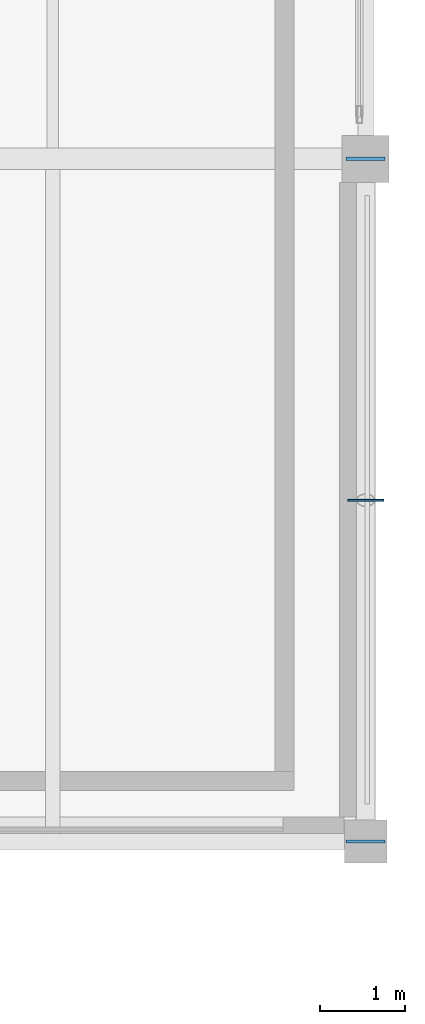
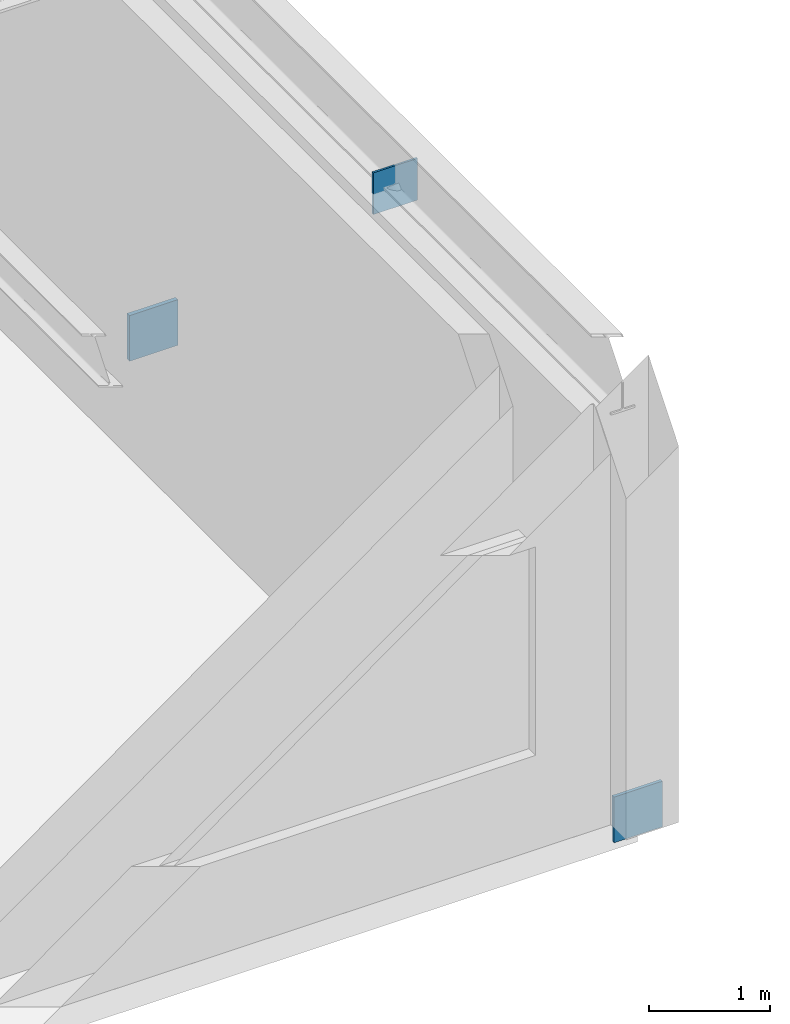
# One storey, part 170 of 200: 3 plates.
"""IFC4 building model written with IfcOpenShell, lengths in metres."""

from ifc_helpers import new_model, si_unit, direction, frame, origin, origin_2d, place, context, subcontext, project, spatial, rectangle, extrude, material, layer, layer_set, type_object, element, save


model = new_model("IFC4")

# Units and contexts
model_context = context("Model", 3, precision=1e-05, world=origin(), true_north=direction((0.0, 1.0)))
body_context = subcontext(model_context, "Body", "Model", "MODEL_VIEW")
ifc_project = project(units=[si_unit("LENGTHUNIT", "METRE"), si_unit("AREAUNIT", "SQUARE_METRE"), si_unit("VOLUMEUNIT", "CUBIC_METRE"), si_unit("PLANEANGLEUNIT", "RADIAN"), si_unit("MASSUNIT", "GRAM", prefix="KILO"), si_unit("THERMODYNAMICTEMPERATUREUNIT", "KELVIN"), si_unit("POWERUNIT", "WATT")], contexts=[model_context])

# Site, building, storey
site_placement = place(None, origin())
site = spatial("IfcSite", under=ifc_project, at=site_placement, CompositionType="ELEMENT")
building_placement = place(site_placement, origin())
building = spatial("IfcBuilding", under=site, at=building_placement, Name="Tepalcoro Natatorium and Aquatics Centre", CompositionType="ELEMENT")
storey_placement = place(building_placement, frame((0.0, 0.0, 5.39990234375)))
storey = spatial("IfcBuildingStorey", under=building, at=storey_placement, Name="L01", CompositionType="ELEMENT", Elevation=5.39990234375)

# Plates
ifc_material = material(Name="Plate Steel ASTM A572 Grade 50 (Fy 345 MPa)", Category="steel")
ifc_layer_1 = layer(ifc_material, 0.031982421875)
ifc_layer_set_1 = layer_set([ifc_layer_1], Name="Plate Steel ASTM A572 Grade 50 (Fy 345 MPa)")
plate_type_1 = type_object("IfcPlateType", Name="PL_CAP_32", PredefinedType="USERDEFINED", material=ifc_layer_set_1)
plate_1_placement = place(storey_placement, frame((176.0, 86.0, -0.179931640625), z_axis=(0.0, 0.0, 1.0), x_axis=(1.0, 0.0, 0.0)))
element("IfcPlate", 1, at=plate_1_placement, inside=storey, type_object=plate_type_1, Name="Truss Node Cap Plate BRB_10", ObjectType="CAP PLATE", PredefinedType="USERDEFINED", context=body_context, shape_type="SweptSolid", body=[
    extrude(rectangle(XDim=0.4599609375, YDim=0.031982421875, at=origin_2d()), origin(), (0.0, 0.0, 1.0), 0.4599609375),
])
ifc_layer_2 = layer(ifc_material, 0.02001953125)
ifc_layer_set_2 = layer_set([ifc_layer_2], Name="Plate Steel ASTM A572 Grade 50 (Fy 345 MPa)")
plate_type_2 = type_object("IfcPlateType", Name="PL_GUSSET_20", PredefinedType="USERDEFINED", material=ifc_layer_set_2)
plate_2_placement = place(storey_placement, frame((176.0, 90.0, 3.710205078125), z_axis=(0.0, 0.0, 1.0), x_axis=(1.0, 0.0, 0.0)))
element("IfcPlate", 2, at=plate_2_placement, inside=storey, type_object=plate_type_2, Name="V5 L01 Chevron Gusset Plate GP1", ObjectType="GUSSET PLATE", PredefinedType="USERDEFINED", context=body_context, shape_type="SweptSolid", body=[
    extrude(rectangle(XDim=0.419921875, YDim=0.02001953125, at=origin_2d()), origin(), (0.0, 0.0, 1.0), 0.419921875),
])
ifc_layer_3 = layer(ifc_material, 0.0400390625)
ifc_layer_set_3 = layer_set([ifc_layer_3], Name="Plate Steel ASTM A572 Grade 50 (Fy 345 MPa)")
plate_type_3 = type_object("IfcPlateType", Name="PL_GUSSET_40", PredefinedType="USERDEFINED", material=ifc_layer_set_3)
plate_3_placement = place(storey_placement, frame((176.0, 94.0, -0.179931640625), z_axis=(0.0, 0.0, 1.0), x_axis=(1.0, 0.0, 0.0)))
element("IfcPlate", 3, at=plate_3_placement, inside=storey, type_object=plate_type_3, Name="Truss Node Gusset Plate BRB_10", ObjectType="GUSSET PLATE", PredefinedType="USERDEFINED", context=body_context, shape_type="SweptSolid", body=[
    extrude(rectangle(XDim=0.4599609375, YDim=0.0400390625, at=origin_2d()), origin(), (0.0, 0.0, 1.0), 0.4599609375),
])

save(model, "model.ifc")
